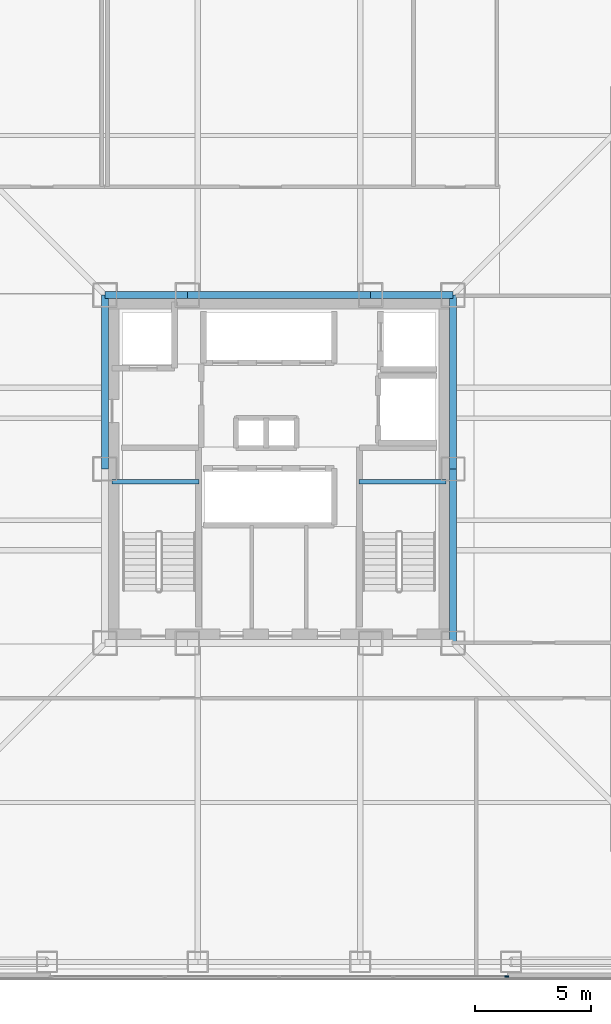
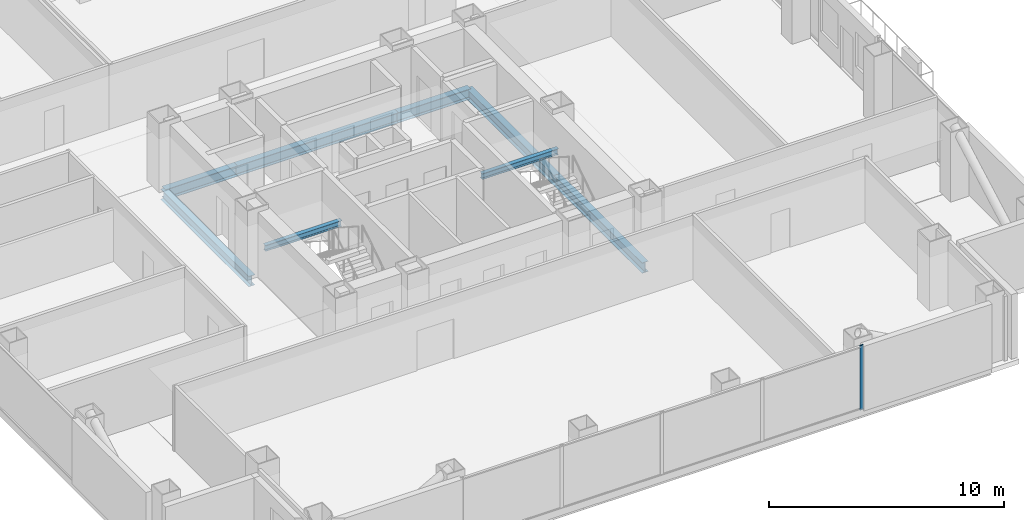
# One storey, part 5 of 16: 8 beams, 1 member, 1 element without a shape of its own.
"""IFC4 building model written with IfcOpenShell, lengths in metres."""

from ifc_helpers import new_model, si_unit, direction, frame, origin, origin_2d, place, context, subcontext, project, spatial, rectangle, i_section, extrude, material, layer, layer_set, material_profile, profile_set, type_object, element, aggregate, save


model = new_model("IFC4")

# Units and contexts
model_context = context("Model", 3, precision=1e-05, world=origin(), true_north=direction((0.0, 1.0)))
body_context = subcontext(model_context, "Body", "Model", "MODEL_VIEW")
ifc_project = project(units=[si_unit("LENGTHUNIT", "METRE"), si_unit("AREAUNIT", "SQUARE_METRE"), si_unit("VOLUMEUNIT", "CUBIC_METRE"), si_unit("PLANEANGLEUNIT", "RADIAN"), si_unit("MASSUNIT", "GRAM", prefix="KILO")], contexts=[model_context])

# Site, building, storey
site_placement = place(None, origin())
site = spatial("IfcSite", under=ifc_project, at=site_placement, CompositionType="ELEMENT")
building_placement = place(site_placement, origin())
building = spatial("IfcBuilding", under=site, at=building_placement, Name="Trevonay Congress Spire", CompositionType="ELEMENT")
storey_placement = place(building_placement, frame((0.0, 0.0, 144.39990234375)))
storey = spatial("IfcBuildingStorey", under=building, at=storey_placement, Name="L37", CompositionType="ELEMENT", Elevation=144.39990234375)

# Beams
ifc_material_1 = material(Name="Steel ASTM A572 Grade 50", Category="steel")
ifc_material_profile_1 = material_profile(ifc_material_1, i_section(OverallWidth=0.31201171875, OverallDepth=0.54296875, WebThickness=0.0126953125, FlangeThickness=0.020263671875, FilletRadius=0.014892578125, at=origin_2d()), Name="W530x150")
ifc_profile_set_1 = profile_set([ifc_material_profile_1], Name="Steel ASTM A572 Grade 50")
beam_type_1 = type_object("IfcBeamType", Name="BM-GIRD-W530X150", PredefinedType="BEAM", material=ifc_profile_set_1)
beam_1_placement = place(storey_placement, frame((-7.5, 7.5, -0.511474609375), z_axis=(1.0, 0.0, 0.0), x_axis=(0.0, 1.0, 0.0)))
element("IfcBeam", 1, at=beam_1_placement, inside=storey, type_object=beam_type_1, Name="L37 structural beam BM-L37-CR-N1", PredefinedType="BEAM", context=body_context, shape_type="SweptSolid", body=[
    extrude(i_section(OverallWidth=0.31201171875, OverallDepth=0.54296875, WebThickness=0.0126953125, FlangeThickness=0.020263671875, FilletRadius=0.014892578125, at=origin_2d()), origin(), (0.0, 0.0, 1.0), 3.550048828125),
])
beam_2_placement = place(storey_placement, frame((-3.949951171875, 7.5, -0.511474609375), z_axis=(1.0, 0.0, 0.0), x_axis=(0.0, 1.0, 0.0)))
element("IfcBeam", 2, at=beam_2_placement, inside=storey, type_object=beam_type_1, Name="L37 structural beam BM-L37-CR-N2", PredefinedType="BEAM", context=body_context, shape_type="SweptSolid", body=[
    extrude(i_section(OverallWidth=0.31201171875, OverallDepth=0.54296875, WebThickness=0.0126953125, FlangeThickness=0.020263671875, FilletRadius=0.014892578125, at=origin_2d()), origin(), (0.0, 0.0, 1.0), 7.89990234375),
])
beam_3_placement = place(storey_placement, frame((3.949951171875, 7.5, -0.511474609375), z_axis=(1.0, 0.0, 0.0), x_axis=(0.0, 1.0, 0.0)))
element("IfcBeam", 3, at=beam_3_placement, inside=storey, type_object=beam_type_1, Name="L37 structural beam BM-L37-CR-N3", PredefinedType="BEAM", context=body_context, shape_type="SweptSolid", body=[
    extrude(i_section(OverallWidth=0.31201171875, OverallDepth=0.54296875, WebThickness=0.0126953125, FlangeThickness=0.020263671875, FilletRadius=0.014892578125, at=origin_2d()), origin(), (0.0, 0.0, 1.0), 3.550048828125),
])
for number, where, z_axis, x_axis, name in (
    (4, (-7.5, 0.0, -0.511474609375), (0.0, 1.0, 0.0), (-1.0, 0.0, 0.0), "L37 structural beam BM-L37-CR-W2"),
    (5, (7.5, -7.5, -0.511474609375), (0.0, 1.0, 0.0), (-1.0, 0.0, 0.0), "L37 structural beam BM-L37-CR-E1"),
    (6, (7.5, 0.0, -0.511474609375), (0.0, 1.0, 0.0), (-1.0, 0.0, 0.0), "L37 structural beam BM-L37-CR-E2"),
):
    element("IfcBeam", number, at=place(storey_placement, frame(where, z_axis=z_axis, x_axis=x_axis)), inside=storey, type_object=beam_type_1, Name=name, PredefinedType="BEAM", context=body_context, shape_type="SweptSolid", body=[
        extrude(i_section(OverallWidth=0.31201171875, OverallDepth=0.54296875, WebThickness=0.0126953125, FlangeThickness=0.020263671875, FilletRadius=0.014892578125, at=origin_2d()), origin(), (0.0, 0.0, 1.0), 7.5),
    ])

# Curtain wall, member
ifc_material_2 = material(Name="Pale Anodised Aluminium EN AW-6063-T6", Category="aluminium")
ifc_layer = layer(ifc_material_2, 0.175048828125, Name="Pale Anodised Aluminium EN AW-6063-T6")
ifc_layer_set = layer_set([ifc_layer], Name="Pale Anodised Aluminium EN AW-6063-T6")
curtain_wall_type = type_object("IfcCurtainWallType", Name="CW-SYS03-CONGRESS-PALE-METAL", PredefinedType="NOTDEFINED", material=ifc_layer_set)
curtain_wall_placement = place(storey_placement, origin())
curtain_wall = element("IfcCurtainWall", 7, at=curtain_wall_placement, inside=storey, type_object=curtain_wall_type, Name="L37 S unitised curtain wall", PredefinedType="NOTDEFINED")
ifc_material_profile_2 = material_profile(ifc_material_2, rectangle(XDim=0.06005859375, YDim=0.159912109375, at=origin_2d()), Name="CW-MULLION-160-ALUMINIUM")
ifc_profile_set_2 = profile_set([ifc_material_profile_2], Name="Pale Anodised Aluminium EN AW-6063-T6")
member_type = type_object("IfcMemberType", Name="CW-MULLION-160-ALUMINIUM", PredefinedType="MULLION", material=ifc_profile_set_2)
member_placement = place(storey_placement, frame((9.820068359375, -21.8798828125, 0.0), z_axis=(0.0, 0.0, 1.0), x_axis=(0.0, 1.0, 0.0)))
member = element("IfcMember", 8, at=member_placement, type_object=member_type, Name="CW03 mullion 5", PredefinedType="MULLION", context=body_context, shape_type="SweptSolid", body=[
    extrude(rectangle(XDim=0.06005859375, YDim=0.159912109375, at=origin_2d()), origin(), (0.0, 0.0, 1.0), 3.360107421875),
])
aggregate(curtain_wall, [member])

# Beams
ifc_material_profile_3 = material_profile(ifc_material_1, i_section(OverallWidth=0.2041015625, OverallDepth=0.305908203125, WebThickness=0.008544921875, FlangeThickness=0.0146484375, FilletRadius=0.010986328125, at=origin_2d()), Name="W310x67")
ifc_profile_set_3 = profile_set([ifc_material_profile_3], Name="Steel ASTM A572 Grade 50")
beam_type_2 = type_object("IfcBeamType", Name="LN-CORE-W310X67", PredefinedType="LINTEL", material=ifc_profile_set_3)
for number, where, z_axis, x_axis, name in (
    (9, (-7.199951171875, -0.550048828125, 1.447021484375), (1.0, 0.0, 0.0), (0.0, 1.0, 0.0), "L37 structural beam BM-L37-HL-ST1"),
    (10, (3.449951171875, -0.550048828125, 1.447021484375), (1.0, 0.0, 0.0), (0.0, 1.0, 0.0), "L37 structural beam BM-L37-HL-ST2"),
):
    element("IfcBeam", number, at=place(storey_placement, frame(where, z_axis=z_axis, x_axis=x_axis)), inside=storey, type_object=beam_type_2, Name=name, PredefinedType="LINTEL", context=body_context, shape_type="SweptSolid", body=[
        extrude(i_section(OverallWidth=0.2041015625, OverallDepth=0.305908203125, WebThickness=0.008544921875, FlangeThickness=0.0146484375, FilletRadius=0.010986328125, at=origin_2d()), origin(), (0.0, 0.0, 1.0), 3.75),
    ])

save(model, "model.ifc")
